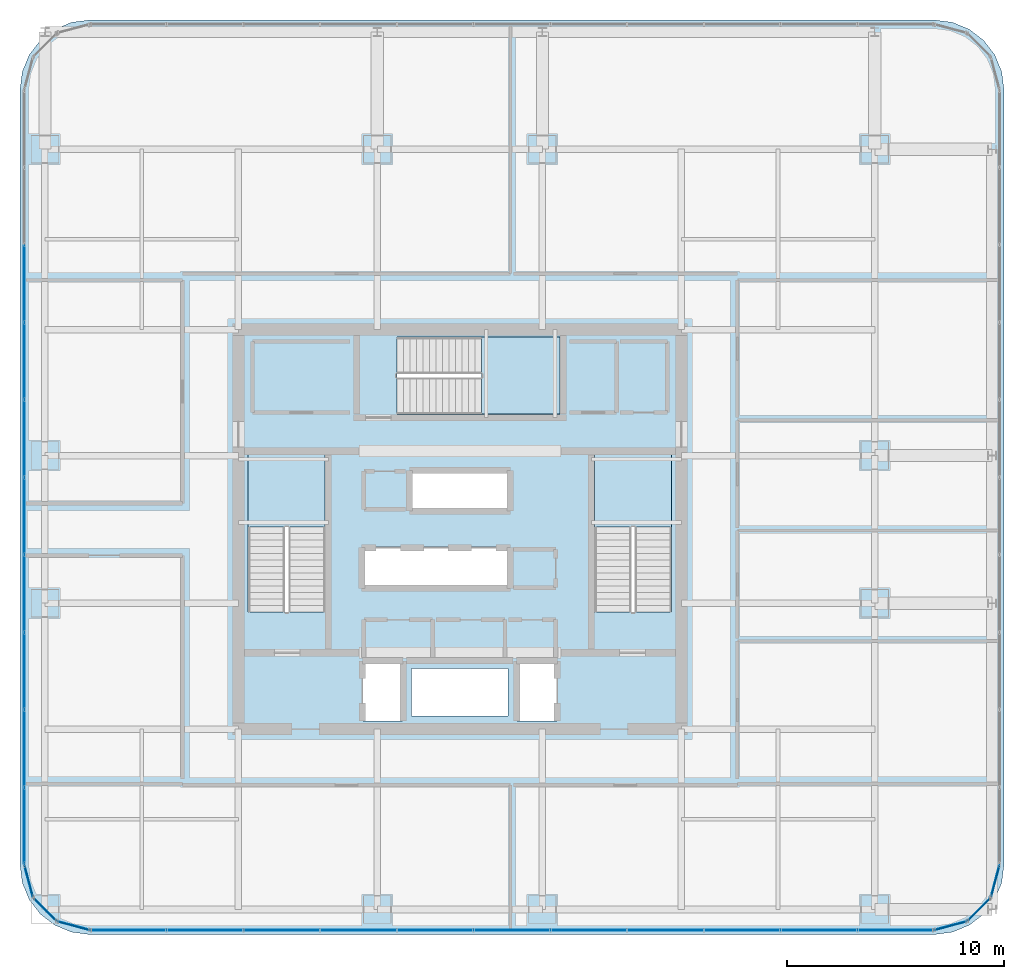
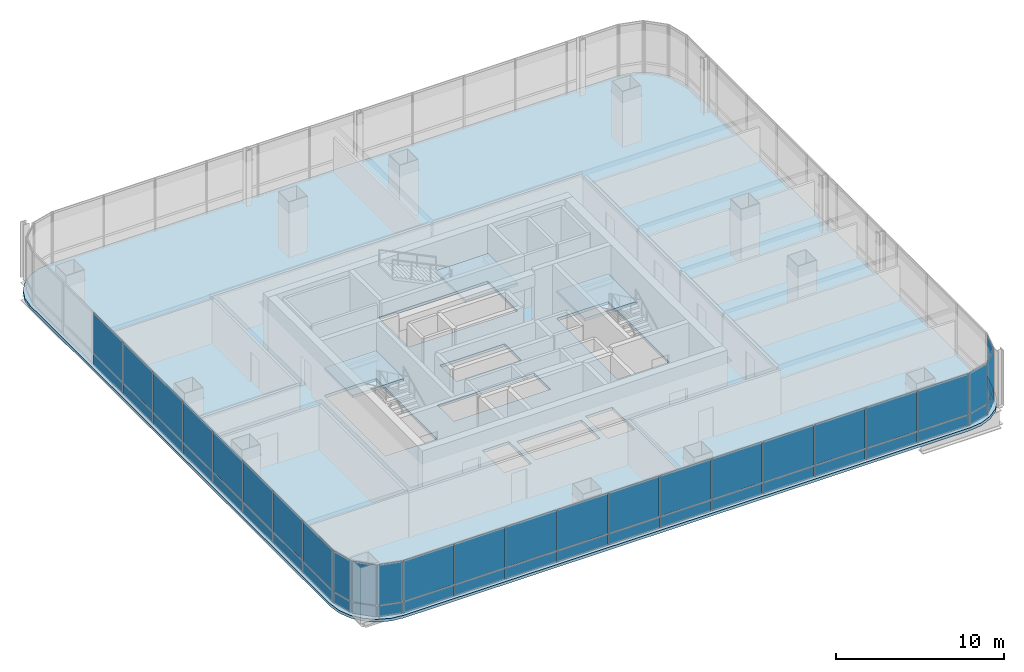
# One storey, part 31 of 39: 50 plates, 4 slabs, 11 elements without a shape of their own.
"""IFC4 building model written with IfcOpenShell, lengths in metres."""

from ifc_helpers import new_model, si_unit, direction, frame, origin, origin_2d, place, context, subcontext, project, spatial, polyline, rectangle, outline, extrude, material, layer, layer_set, type_object, element, aggregate, save


model = new_model("IFC4")

# Units and contexts
model_context = context("Model", 3, precision=1e-05, world=origin(), true_north=direction((0.0, 1.0)))
body_context = subcontext(model_context, "Body", "Model", "MODEL_VIEW")
ifc_project = project(units=[si_unit("LENGTHUNIT", "METRE"), si_unit("AREAUNIT", "SQUARE_METRE"), si_unit("VOLUMEUNIT", "CUBIC_METRE"), si_unit("PLANEANGLEUNIT", "RADIAN"), si_unit("MASSUNIT", "GRAM", prefix="KILO")], contexts=[model_context])

# Site, building, storey
site_placement = place(None, origin())
site = spatial("IfcSite", under=ifc_project, at=site_placement, CompositionType="ELEMENT")
building_placement = place(site_placement, origin())
building = spatial("IfcBuilding", under=site, at=building_placement, Name="Punatoya Terracotta Tower", CompositionType="ELEMENT")
storey_placement = place(building_placement, frame((0.0, 0.0, 275.699951171875)))
storey = spatial("IfcBuildingStorey", under=building, at=storey_placement, Name="L65", CompositionType="ELEMENT", Elevation=275.699951171875)

# Curtain wall, plates
ifc_material_1 = material(Name="Aluminium 6063-T6 + Double Low-E Glass", Category="aluminium")
curtain_wall_type = type_object("IfcCurtainWallType", Name="CW-M3", PredefinedType="NOTDEFINED", material=ifc_material_1)
curtain_wall_1_placement = place(storey_placement, origin())
curtain_wall_1 = element("IfcCurtainWall", 1, at=curtain_wall_1_placement, inside=storey, type_object=curtain_wall_type, Name="L65 Curtain Wall CW-L65-S01-1", PredefinedType="NOTDEFINED")
ifc_material_2 = material(Name="Double Low-E Acoustic Vision Glass", Category="glass")
ifc_layer_1 = layer(ifc_material_2, 0.031982421875)
ifc_layer_set_1 = layer_set([ifc_layer_1], Name="Double Low-E Acoustic Vision Glass")
plate_type_1 = type_object("IfcPlateType", Name="PLT-GLZ-32", PredefinedType="CURTAIN_PANEL", material=ifc_layer_set_1)
plate_1_placement = place(storey_placement, frame((-15.27001953125, -18.449951171875, 0.89013671875), z_axis=(0.0, 0.0, 1.0), x_axis=(1.0, 0.0, 0.0)))
plate_1 = element("IfcPlate", 2, at=plate_1_placement, type_object=plate_type_1, Name="CW-L65-S01-1 Vision Glass Panel 1", PredefinedType="CURTAIN_PANEL", context=body_context, shape_type="SweptSolid", body=[
    extrude(rectangle(XDim=3.448974609375, YDim=0.031982421875, at=origin_2d()), origin(), (0.0, 0.0, 1.0), 2.919921875),
])
plate_2_placement = place(storey_placement, frame((-11.73583984375, -18.449951171875, 0.89013671875), z_axis=(0.0, 0.0, 1.0), x_axis=(1.0, 0.0, 0.0)))
plate_2 = element("IfcPlate", 3, at=plate_2_placement, type_object=plate_type_1, Name="CW-L65-S01-1 Vision Glass Panel 2", PredefinedType="CURTAIN_PANEL", context=body_context, shape_type="SweptSolid", body=[
    extrude(rectangle(XDim=3.448974609375, YDim=0.031982421875, at=origin_2d()), origin(), (0.0, 0.0, 1.0), 2.919921875),
])
plate_3_placement = place(storey_placement, frame((-8.201904296875, -18.449951171875, 0.89013671875), z_axis=(0.0, 0.0, 1.0), x_axis=(1.0, 0.0, 0.0)))
plate_3 = element("IfcPlate", 4, at=plate_3_placement, type_object=plate_type_1, Name="CW-L65-S01-1 Vision Glass Panel 3", PredefinedType="CURTAIN_PANEL", context=body_context, shape_type="SweptSolid", body=[
    extrude(rectangle(XDim=3.448974609375, YDim=0.031982421875, at=origin_2d()), origin(), (0.0, 0.0, 1.0), 2.919921875),
])
plate_4_placement = place(storey_placement, frame((-4.66796875, -18.449951171875, 0.89013671875), z_axis=(0.0, 0.0, 1.0), x_axis=(1.0, 0.0, 0.0)))
plate_4 = element("IfcPlate", 5, at=plate_4_placement, type_object=plate_type_1, Name="CW-L65-S01-1 Vision Glass Panel 4", PredefinedType="CURTAIN_PANEL", context=body_context, shape_type="SweptSolid", body=[
    extrude(rectangle(XDim=3.448974609375, YDim=0.031982421875, at=origin_2d()), origin(), (0.0, 0.0, 1.0), 2.919921875),
])
plate_5_placement = place(storey_placement, frame((-1.134033203125, -18.449951171875, 0.89013671875), z_axis=(0.0, 0.0, 1.0), x_axis=(1.0, 0.0, 0.0)))
plate_5 = element("IfcPlate", 6, at=plate_5_placement, type_object=plate_type_1, Name="CW-L65-S01-1 Vision Glass Panel 5", PredefinedType="CURTAIN_PANEL", context=body_context, shape_type="SweptSolid", body=[
    extrude(rectangle(XDim=3.448974609375, YDim=0.031982421875, at=origin_2d()), origin(), (0.0, 0.0, 1.0), 2.919921875),
])
plate_6_placement = place(storey_placement, frame((2.39990234375, -18.449951171875, 0.89013671875), z_axis=(0.0, 0.0, 1.0), x_axis=(1.0, 0.0, 0.0)))
plate_6 = element("IfcPlate", 7, at=plate_6_placement, type_object=plate_type_1, Name="CW-L65-S01-1 Vision Glass Panel 6", PredefinedType="CURTAIN_PANEL", context=body_context, shape_type="SweptSolid", body=[
    extrude(rectangle(XDim=3.448974609375, YDim=0.031982421875, at=origin_2d()), origin(), (0.0, 0.0, 1.0), 2.919921875),
])
plate_7_placement = place(storey_placement, frame((5.93408203125, -18.449951171875, 0.89013671875), z_axis=(0.0, 0.0, 1.0), x_axis=(1.0, 0.0, 0.0)))
plate_7 = element("IfcPlate", 8, at=plate_7_placement, type_object=plate_type_1, Name="CW-L65-S01-1 Vision Glass Panel 7", PredefinedType="CURTAIN_PANEL", context=body_context, shape_type="SweptSolid", body=[
    extrude(rectangle(XDim=3.448974609375, YDim=0.031982421875, at=origin_2d()), origin(), (0.0, 0.0, 1.0), 2.919921875),
])
plate_8_placement = place(storey_placement, frame((9.468017578125, -18.449951171875, 0.89013671875), z_axis=(0.0, 0.0, 1.0), x_axis=(1.0, 0.0, 0.0)))
plate_8 = element("IfcPlate", 9, at=plate_8_placement, type_object=plate_type_1, Name="CW-L65-S01-1 Vision Glass Panel 8", PredefinedType="CURTAIN_PANEL", context=body_context, shape_type="SweptSolid", body=[
    extrude(rectangle(XDim=3.448974609375, YDim=0.031982421875, at=origin_2d()), origin(), (0.0, 0.0, 1.0), 2.919921875),
])
plate_9_placement = place(storey_placement, frame((13.001953125, -18.449951171875, 0.89013671875), z_axis=(0.0, 0.0, 1.0), x_axis=(1.0, 0.0, 0.0)))
plate_9 = element("IfcPlate", 10, at=plate_9_placement, type_object=plate_type_1, Name="CW-L65-S01-1 Vision Glass Panel 9", PredefinedType="CURTAIN_PANEL", context=body_context, shape_type="SweptSolid", body=[
    extrude(rectangle(XDim=3.448974609375, YDim=0.031982421875, at=origin_2d()), origin(), (0.0, 0.0, 1.0), 2.919921875),
])
plate_10_placement = place(storey_placement, frame((16.535888671875, -18.449951171875, 0.89013671875), z_axis=(0.0, 0.0, 1.0), x_axis=(1.0, 0.0, 0.0)))
plate_10 = element("IfcPlate", 11, at=plate_10_placement, type_object=plate_type_1, Name="CW-L65-S01-1 Vision Glass Panel 10", PredefinedType="CURTAIN_PANEL", context=body_context, shape_type="SweptSolid", body=[
    extrude(rectangle(XDim=3.448974609375, YDim=0.031982421875, at=origin_2d()), origin(), (0.0, 0.0, 1.0), 2.919921875),
])
plate_11_placement = place(storey_placement, frame((20.06982421875, -18.449951171875, 0.89013671875), z_axis=(0.0, 0.0, 1.0), x_axis=(1.0, 0.0, 0.0)))
plate_11 = element("IfcPlate", 12, at=plate_11_placement, type_object=plate_type_1, Name="CW-L65-S01-1 Vision Glass Panel 11", PredefinedType="CURTAIN_PANEL", context=body_context, shape_type="SweptSolid", body=[
    extrude(rectangle(XDim=3.448974609375, YDim=0.031982421875, at=origin_2d()), origin(), (0.0, 0.0, 1.0), 2.919921875),
])

# Curtain wall, plate
curtain_wall_2_placement = place(storey_placement, origin())
curtain_wall_2 = element("IfcCurtainWall", 13, at=curtain_wall_2_placement, inside=storey, type_object=curtain_wall_type, Name="L65 Curtain Wall CW-L65-CRN02", PredefinedType="NOTDEFINED")
plate_12_placement = place(storey_placement, frame((22.593017578125, -18.248291015625, 0.89013671875), z_axis=(0.0, 0.0, 1.0), x_axis=(0.966213877436, 0.257741620719, 0.0)))
plate_12 = element("IfcPlate", 14, at=plate_12_placement, type_object=plate_type_1, Name="CW-L65-CRN02 Vision Glass Panel 1", PredefinedType="CURTAIN_PANEL", context=body_context, shape_type="SweptSolid", body=[
    extrude(rectangle(XDim=1.47998046875, YDim=0.031982421875, at=origin_2d()), origin(), (0.0, 0.0, 1.0), 2.919921875),
])

curtain_wall_3_placement = place(storey_placement, origin())
curtain_wall_3 = element("IfcCurtainWall", 15, at=curtain_wall_3_placement, inside=storey, type_object=curtain_wall_type, Name="L65 Curtain Wall CW-L65-CRN03", PredefinedType="NOTDEFINED")
plate_13_placement = place(storey_placement, frame((23.89794921875, -17.497802734375, 0.89013671875), z_axis=(0.0, 0.0, 1.0), x_axis=(0.707106781187, 0.707106781187, 0.0)))
plate_13 = element("IfcPlate", 16, at=plate_13_placement, type_object=plate_type_1, Name="CW-L65-CRN03 Vision Glass Panel 1", PredefinedType="CURTAIN_PANEL", context=body_context, shape_type="SweptSolid", body=[
    extrude(rectangle(XDim=1.467041015625, YDim=0.031982421875, at=origin_2d()), origin(), (0.0, 0.0, 1.0), 2.919921875),
])

curtain_wall_4_placement = place(storey_placement, origin())
curtain_wall_4 = element("IfcCurtainWall", 17, at=curtain_wall_4_placement, inside=storey, type_object=curtain_wall_type, Name="L65 Curtain Wall CW-L65-CRN04", PredefinedType="NOTDEFINED")
plate_14_placement = place(storey_placement, frame((24.648193359375, -16.193115234375, 0.89013671875), z_axis=(0.0, 0.0, 1.0), x_axis=(0.257741620719, 0.966213877436, 0.0)))
plate_14 = element("IfcPlate", 18, at=plate_14_placement, type_object=plate_type_1, Name="CW-L65-CRN04 Vision Glass Panel 1", PredefinedType="CURTAIN_PANEL", context=body_context, shape_type="SweptSolid", body=[
    extrude(rectangle(XDim=1.47998046875, YDim=0.031982421875, at=origin_2d()), origin(), (0.0, 0.0, 1.0), 2.919921875),
])

# Curtain wall, plates
curtain_wall_5_placement = place(storey_placement, origin())
curtain_wall_5 = element("IfcCurtainWall", 19, at=curtain_wall_5_placement, inside=storey, type_object=curtain_wall_type, Name="L65 Curtain Wall CW-L65-W13-1", PredefinedType="NOTDEFINED")
plate_15_placement = place(storey_placement, frame((-20.050048828125, 11.318359375, 0.89013671875), z_axis=(0.0, 0.0, 1.0), x_axis=(0.0, -1.0, 0.0)))
plate_15 = element("IfcPlate", 20, at=plate_15_placement, type_object=plate_type_1, Name="CW-L65-W13-1 Vision Glass Panel 3", PredefinedType="CURTAIN_PANEL", context=body_context, shape_type="SweptSolid", body=[
    extrude(rectangle(XDim=3.482421875, YDim=0.031982421875, at=origin_2d()), origin(), (0.0, 0.0, 1.0), 2.919921875),
])
plate_16_placement = place(storey_placement, frame((-20.050048828125, 7.751220703125, 0.89013671875), z_axis=(0.0, 0.0, 1.0), x_axis=(0.0, -1.0, 0.0)))
plate_16 = element("IfcPlate", 21, at=plate_16_placement, type_object=plate_type_1, Name="CW-L65-W13-1 Vision Glass Panel 4", PredefinedType="CURTAIN_PANEL", context=body_context, shape_type="SweptSolid", body=[
    extrude(rectangle(XDim=3.482421875, YDim=0.031982421875, at=origin_2d()), origin(), (0.0, 0.0, 1.0), 2.919921875),
])
plate_17_placement = place(storey_placement, frame((-20.050048828125, 4.18359375, 0.89013671875), z_axis=(0.0, 0.0, 1.0), x_axis=(0.0, -1.0, 0.0)))
plate_17 = element("IfcPlate", 22, at=plate_17_placement, type_object=plate_type_1, Name="CW-L65-W13-1 Vision Glass Panel 5", PredefinedType="CURTAIN_PANEL", context=body_context, shape_type="SweptSolid", body=[
    extrude(rectangle(XDim=3.482421875, YDim=0.031982421875, at=origin_2d()), origin(), (0.0, 0.0, 1.0), 2.919921875),
])
plate_18_placement = place(storey_placement, frame((-20.050048828125, 0.6162109375, 0.89013671875), z_axis=(0.0, 0.0, 1.0), x_axis=(0.0, -1.0, 0.0)))
plate_18 = element("IfcPlate", 23, at=plate_18_placement, type_object=plate_type_1, Name="CW-L65-W13-1 Vision Glass Panel 6", PredefinedType="CURTAIN_PANEL", context=body_context, shape_type="SweptSolid", body=[
    extrude(rectangle(XDim=3.482421875, YDim=0.031982421875, at=origin_2d()), origin(), (0.0, 0.0, 1.0), 2.919921875),
])
plate_19_placement = place(storey_placement, frame((-20.050048828125, -2.951171875, 0.89013671875), z_axis=(0.0, 0.0, 1.0), x_axis=(0.0, -1.0, 0.0)))
plate_19 = element("IfcPlate", 24, at=plate_19_placement, type_object=plate_type_1, Name="CW-L65-W13-1 Vision Glass Panel 7", PredefinedType="CURTAIN_PANEL", context=body_context, shape_type="SweptSolid", body=[
    extrude(rectangle(XDim=3.482421875, YDim=0.031982421875, at=origin_2d()), origin(), (0.0, 0.0, 1.0), 2.919921875),
])
plate_20_placement = place(storey_placement, frame((-20.050048828125, -6.518310546875, 0.89013671875), z_axis=(0.0, 0.0, 1.0), x_axis=(0.0, -1.0, 0.0)))
plate_20 = element("IfcPlate", 25, at=plate_20_placement, type_object=plate_type_1, Name="CW-L65-W13-1 Vision Glass Panel 8", PredefinedType="CURTAIN_PANEL", context=body_context, shape_type="SweptSolid", body=[
    extrude(rectangle(XDim=3.482421875, YDim=0.031982421875, at=origin_2d()), origin(), (0.0, 0.0, 1.0), 2.919921875),
])
plate_21_placement = place(storey_placement, frame((-20.050048828125, -10.085693359375, 0.89013671875), z_axis=(0.0, 0.0, 1.0), x_axis=(0.0, -1.0, 0.0)))
plate_21 = element("IfcPlate", 26, at=plate_21_placement, type_object=plate_type_1, Name="CW-L65-W13-1 Vision Glass Panel 9", PredefinedType="CURTAIN_PANEL", context=body_context, shape_type="SweptSolid", body=[
    extrude(rectangle(XDim=3.482421875, YDim=0.031982421875, at=origin_2d()), origin(), (0.0, 0.0, 1.0), 2.919921875),
])
plate_22_placement = place(storey_placement, frame((-20.050048828125, -13.6533203125, 0.89013671875), z_axis=(0.0, 0.0, 1.0), x_axis=(0.0, -1.0, 0.0)))
plate_22 = element("IfcPlate", 27, at=plate_22_placement, type_object=plate_type_1, Name="CW-L65-W13-1 Vision Glass Panel 10", PredefinedType="CURTAIN_PANEL", context=body_context, shape_type="SweptSolid", body=[
    extrude(rectangle(XDim=3.482421875, YDim=0.031982421875, at=origin_2d()), origin(), (0.0, 0.0, 1.0), 2.919921875),
])

# Curtain wall, plate
curtain_wall_6_placement = place(storey_placement, origin())
curtain_wall_6 = element("IfcCurtainWall", 28, at=curtain_wall_6_placement, inside=storey, type_object=curtain_wall_type, Name="L65 Curtain Wall CW-L65-CRN14", PredefinedType="NOTDEFINED")
plate_23_placement = place(storey_placement, frame((-19.848388671875, -16.193115234375, 0.89013671875), z_axis=(0.0, 0.0, 1.0), x_axis=(0.257741620719, -0.966213877436, 0.0)))
plate_23 = element("IfcPlate", 29, at=plate_23_placement, type_object=plate_type_1, Name="CW-L65-CRN14 Vision Glass Panel 1", PredefinedType="CURTAIN_PANEL", context=body_context, shape_type="SweptSolid", body=[
    extrude(rectangle(XDim=1.47998046875, YDim=0.031982421875, at=origin_2d()), origin(), (0.0, 0.0, 1.0), 2.919921875),
])

curtain_wall_7_placement = place(storey_placement, origin())
curtain_wall_7 = element("IfcCurtainWall", 30, at=curtain_wall_7_placement, inside=storey, type_object=curtain_wall_type, Name="L65 Curtain Wall CW-L65-CRN15", PredefinedType="NOTDEFINED")
plate_24_placement = place(storey_placement, frame((-19.097900390625, -17.497802734375, 0.89013671875), z_axis=(0.0, 0.0, 1.0), x_axis=(0.707106781187, -0.707106781187, 0.0)))
plate_24 = element("IfcPlate", 31, at=plate_24_placement, type_object=plate_type_1, Name="CW-L65-CRN15 Vision Glass Panel 1", PredefinedType="CURTAIN_PANEL", context=body_context, shape_type="SweptSolid", body=[
    extrude(rectangle(XDim=1.467041015625, YDim=0.031982421875, at=origin_2d()), origin(), (0.0, 0.0, 1.0), 2.919921875),
])

curtain_wall_8_placement = place(storey_placement, origin())
curtain_wall_8 = element("IfcCurtainWall", 32, at=curtain_wall_8_placement, inside=storey, type_object=curtain_wall_type, Name="L65 Curtain Wall CW-L65-CRN16", PredefinedType="NOTDEFINED")
plate_25_placement = place(storey_placement, frame((-17.79296875, -18.248291015625, 0.89013671875), z_axis=(0.0, 0.0, 1.0), x_axis=(0.966213877436, -0.257741620719, 0.0)))
plate_25 = element("IfcPlate", 33, at=plate_25_placement, type_object=plate_type_1, Name="CW-L65-CRN16 Vision Glass Panel 1", PredefinedType="CURTAIN_PANEL", context=body_context, shape_type="SweptSolid", body=[
    extrude(rectangle(XDim=1.47998046875, YDim=0.031982421875, at=origin_2d()), origin(), (0.0, 0.0, 1.0), 2.919921875),
])

# Plate
ifc_material_3 = material(Name="Insulated Terracotta-Backed Spandrel Panel", Category="masonry")
ifc_layer_2 = layer(ifc_material_3, 0.044921875)
ifc_layer_set_2 = layer_set([ifc_layer_2], Name="Insulated Terracotta-Backed Spandrel Panel")
plate_type_2 = type_object("IfcPlateType", Name="PLT-SPN-45", PredefinedType="CURTAIN_PANEL", material=ifc_layer_set_2)
plate_26_placement = place(storey_placement, frame((-15.27001953125, -18.449951171875, 0.0400390625), z_axis=(0.0, 0.0, 1.0), x_axis=(1.0, 0.0, 0.0)))
plate_26 = element("IfcPlate", 34, at=plate_26_placement, type_object=plate_type_2, Name="CW-L65-S01-1 Terracotta Spandrel Panel 1", PredefinedType="CURTAIN_PANEL", context=body_context, shape_type="SweptSolid", body=[
    extrude(rectangle(XDim=3.448974609375, YDim=0.044921875, at=origin_2d()), origin(), (0.0, 0.0, 1.0), 0.77490234375),
])

plate_27_placement = place(storey_placement, frame((-11.73583984375, -18.449951171875, 0.0400390625), z_axis=(0.0, 0.0, 1.0), x_axis=(1.0, 0.0, 0.0)))
plate_27 = element("IfcPlate", 35, at=plate_27_placement, type_object=plate_type_2, Name="CW-L65-S01-1 Terracotta Spandrel Panel 2", PredefinedType="CURTAIN_PANEL", context=body_context, shape_type="SweptSolid", body=[
    extrude(rectangle(XDim=3.448974609375, YDim=0.044921875, at=origin_2d()), origin(), (0.0, 0.0, 1.0), 0.77490234375),
])

plate_28_placement = place(storey_placement, frame((-8.201904296875, -18.449951171875, 0.0400390625), z_axis=(0.0, 0.0, 1.0), x_axis=(1.0, 0.0, 0.0)))
plate_28 = element("IfcPlate", 36, at=plate_28_placement, type_object=plate_type_2, Name="CW-L65-S01-1 Terracotta Spandrel Panel 3", PredefinedType="CURTAIN_PANEL", context=body_context, shape_type="SweptSolid", body=[
    extrude(rectangle(XDim=3.448974609375, YDim=0.044921875, at=origin_2d()), origin(), (0.0, 0.0, 1.0), 0.77490234375),
])

plate_29_placement = place(storey_placement, frame((-4.66796875, -18.449951171875, 0.0400390625), z_axis=(0.0, 0.0, 1.0), x_axis=(1.0, 0.0, 0.0)))
plate_29 = element("IfcPlate", 37, at=plate_29_placement, type_object=plate_type_2, Name="CW-L65-S01-1 Terracotta Spandrel Panel 4", PredefinedType="CURTAIN_PANEL", context=body_context, shape_type="SweptSolid", body=[
    extrude(rectangle(XDim=3.448974609375, YDim=0.044921875, at=origin_2d()), origin(), (0.0, 0.0, 1.0), 0.77490234375),
])

plate_30_placement = place(storey_placement, frame((-1.134033203125, -18.449951171875, 0.0400390625), z_axis=(0.0, 0.0, 1.0), x_axis=(1.0, 0.0, 0.0)))
plate_30 = element("IfcPlate", 38, at=plate_30_placement, type_object=plate_type_2, Name="CW-L65-S01-1 Terracotta Spandrel Panel 5", PredefinedType="CURTAIN_PANEL", context=body_context, shape_type="SweptSolid", body=[
    extrude(rectangle(XDim=3.448974609375, YDim=0.044921875, at=origin_2d()), origin(), (0.0, 0.0, 1.0), 0.77490234375),
])

plate_31_placement = place(storey_placement, frame((2.39990234375, -18.449951171875, 0.0400390625), z_axis=(0.0, 0.0, 1.0), x_axis=(1.0, 0.0, 0.0)))
plate_31 = element("IfcPlate", 39, at=plate_31_placement, type_object=plate_type_2, Name="CW-L65-S01-1 Terracotta Spandrel Panel 6", PredefinedType="CURTAIN_PANEL", context=body_context, shape_type="SweptSolid", body=[
    extrude(rectangle(XDim=3.448974609375, YDim=0.044921875, at=origin_2d()), origin(), (0.0, 0.0, 1.0), 0.77490234375),
])

plate_32_placement = place(storey_placement, frame((5.93408203125, -18.449951171875, 0.0400390625), z_axis=(0.0, 0.0, 1.0), x_axis=(1.0, 0.0, 0.0)))
plate_32 = element("IfcPlate", 40, at=plate_32_placement, type_object=plate_type_2, Name="CW-L65-S01-1 Terracotta Spandrel Panel 7", PredefinedType="CURTAIN_PANEL", context=body_context, shape_type="SweptSolid", body=[
    extrude(rectangle(XDim=3.448974609375, YDim=0.044921875, at=origin_2d()), origin(), (0.0, 0.0, 1.0), 0.77490234375),
])

plate_33_placement = place(storey_placement, frame((9.468017578125, -18.449951171875, 0.0400390625), z_axis=(0.0, 0.0, 1.0), x_axis=(1.0, 0.0, 0.0)))
plate_33 = element("IfcPlate", 41, at=plate_33_placement, type_object=plate_type_2, Name="CW-L65-S01-1 Terracotta Spandrel Panel 8", PredefinedType="CURTAIN_PANEL", context=body_context, shape_type="SweptSolid", body=[
    extrude(rectangle(XDim=3.448974609375, YDim=0.044921875, at=origin_2d()), origin(), (0.0, 0.0, 1.0), 0.77490234375),
])

plate_34_placement = place(storey_placement, frame((13.001953125, -18.449951171875, 0.0400390625), z_axis=(0.0, 0.0, 1.0), x_axis=(1.0, 0.0, 0.0)))
plate_34 = element("IfcPlate", 42, at=plate_34_placement, type_object=plate_type_2, Name="CW-L65-S01-1 Terracotta Spandrel Panel 9", PredefinedType="CURTAIN_PANEL", context=body_context, shape_type="SweptSolid", body=[
    extrude(rectangle(XDim=3.448974609375, YDim=0.044921875, at=origin_2d()), origin(), (0.0, 0.0, 1.0), 0.77490234375),
])

plate_35_placement = place(storey_placement, frame((16.535888671875, -18.449951171875, 0.0400390625), z_axis=(0.0, 0.0, 1.0), x_axis=(1.0, 0.0, 0.0)))
plate_35 = element("IfcPlate", 43, at=plate_35_placement, type_object=plate_type_2, Name="CW-L65-S01-1 Terracotta Spandrel Panel 10", PredefinedType="CURTAIN_PANEL", context=body_context, shape_type="SweptSolid", body=[
    extrude(rectangle(XDim=3.448974609375, YDim=0.044921875, at=origin_2d()), origin(), (0.0, 0.0, 1.0), 0.77490234375),
])

plate_36_placement = place(storey_placement, frame((20.06982421875, -18.449951171875, 0.0400390625), z_axis=(0.0, 0.0, 1.0), x_axis=(1.0, 0.0, 0.0)))
plate_36 = element("IfcPlate", 44, at=plate_36_placement, type_object=plate_type_2, Name="CW-L65-S01-1 Terracotta Spandrel Panel 11", PredefinedType="CURTAIN_PANEL", context=body_context, shape_type="SweptSolid", body=[
    extrude(rectangle(XDim=3.448974609375, YDim=0.044921875, at=origin_2d()), origin(), (0.0, 0.0, 1.0), 0.77490234375),
])

aggregate(curtain_wall_1, [plate_26, plate_1, plate_27, plate_2, plate_28, plate_3, plate_29, plate_4, plate_30, plate_5, plate_31, plate_6, plate_32, plate_7, plate_33, plate_8, plate_34, plate_9, plate_35, plate_10, plate_36, plate_11])

plate_37_placement = place(storey_placement, frame((22.593017578125, -18.248291015625, 0.0400390625), z_axis=(0.0, 0.0, 1.0), x_axis=(0.966213877436, 0.257741620719, 0.0)))
plate_37 = element("IfcPlate", 45, at=plate_37_placement, type_object=plate_type_2, Name="CW-L65-CRN02 Terracotta Spandrel Panel 1", PredefinedType="CURTAIN_PANEL", context=body_context, shape_type="SweptSolid", body=[
    extrude(rectangle(XDim=1.47998046875, YDim=0.044921875, at=origin_2d()), origin(), (0.0, 0.0, 1.0), 0.77490234375),
])

aggregate(curtain_wall_2, [plate_37, plate_12])

plate_38_placement = place(storey_placement, frame((23.89794921875, -17.497802734375, 0.0400390625), z_axis=(0.0, 0.0, 1.0), x_axis=(0.707106781187, 0.707106781187, 0.0)))
plate_38 = element("IfcPlate", 46, at=plate_38_placement, type_object=plate_type_2, Name="CW-L65-CRN03 Terracotta Spandrel Panel 1", PredefinedType="CURTAIN_PANEL", context=body_context, shape_type="SweptSolid", body=[
    extrude(rectangle(XDim=1.467041015625, YDim=0.044921875, at=origin_2d()), origin(), (0.0, 0.0, 1.0), 0.77490234375),
])

aggregate(curtain_wall_3, [plate_38, plate_13])

plate_39_placement = place(storey_placement, frame((24.648193359375, -16.193115234375, 0.0400390625), z_axis=(0.0, 0.0, 1.0), x_axis=(0.257741620719, 0.966213877436, 0.0)))
plate_39 = element("IfcPlate", 47, at=plate_39_placement, type_object=plate_type_2, Name="CW-L65-CRN04 Terracotta Spandrel Panel 1", PredefinedType="CURTAIN_PANEL", context=body_context, shape_type="SweptSolid", body=[
    extrude(rectangle(XDim=1.47998046875, YDim=0.044921875, at=origin_2d()), origin(), (0.0, 0.0, 1.0), 0.77490234375),
])

aggregate(curtain_wall_4, [plate_39, plate_14])

plate_40_placement = place(storey_placement, frame((-20.050048828125, 11.318359375, 0.0400390625), z_axis=(0.0, 0.0, 1.0), x_axis=(0.0, -1.0, 0.0)))
plate_40 = element("IfcPlate", 48, at=plate_40_placement, type_object=plate_type_2, Name="CW-L65-W13-1 Terracotta Spandrel Panel 3", PredefinedType="CURTAIN_PANEL", context=body_context, shape_type="SweptSolid", body=[
    extrude(rectangle(XDim=3.482421875, YDim=0.044921875, at=origin_2d()), origin(), (0.0, 0.0, 1.0), 0.77490234375),
])

plate_41_placement = place(storey_placement, frame((-20.050048828125, 7.751220703125, 0.0400390625), z_axis=(0.0, 0.0, 1.0), x_axis=(0.0, -1.0, 0.0)))
plate_41 = element("IfcPlate", 49, at=plate_41_placement, type_object=plate_type_2, Name="CW-L65-W13-1 Terracotta Spandrel Panel 4", PredefinedType="CURTAIN_PANEL", context=body_context, shape_type="SweptSolid", body=[
    extrude(rectangle(XDim=3.482421875, YDim=0.044921875, at=origin_2d()), origin(), (0.0, 0.0, 1.0), 0.77490234375),
])

plate_42_placement = place(storey_placement, frame((-20.050048828125, 4.18359375, 0.0400390625), z_axis=(0.0, 0.0, 1.0), x_axis=(0.0, -1.0, 0.0)))
plate_42 = element("IfcPlate", 50, at=plate_42_placement, type_object=plate_type_2, Name="CW-L65-W13-1 Terracotta Spandrel Panel 5", PredefinedType="CURTAIN_PANEL", context=body_context, shape_type="SweptSolid", body=[
    extrude(rectangle(XDim=3.482421875, YDim=0.044921875, at=origin_2d()), origin(), (0.0, 0.0, 1.0), 0.77490234375),
])

plate_43_placement = place(storey_placement, frame((-20.050048828125, 0.6162109375, 0.0400390625), z_axis=(0.0, 0.0, 1.0), x_axis=(0.0, -1.0, 0.0)))
plate_43 = element("IfcPlate", 51, at=plate_43_placement, type_object=plate_type_2, Name="CW-L65-W13-1 Terracotta Spandrel Panel 6", PredefinedType="CURTAIN_PANEL", context=body_context, shape_type="SweptSolid", body=[
    extrude(rectangle(XDim=3.482421875, YDim=0.044921875, at=origin_2d()), origin(), (0.0, 0.0, 1.0), 0.77490234375),
])

plate_44_placement = place(storey_placement, frame((-20.050048828125, -2.951171875, 0.0400390625), z_axis=(0.0, 0.0, 1.0), x_axis=(0.0, -1.0, 0.0)))
plate_44 = element("IfcPlate", 52, at=plate_44_placement, type_object=plate_type_2, Name="CW-L65-W13-1 Terracotta Spandrel Panel 7", PredefinedType="CURTAIN_PANEL", context=body_context, shape_type="SweptSolid", body=[
    extrude(rectangle(XDim=3.482421875, YDim=0.044921875, at=origin_2d()), origin(), (0.0, 0.0, 1.0), 0.77490234375),
])

plate_45_placement = place(storey_placement, frame((-20.050048828125, -6.518310546875, 0.0400390625), z_axis=(0.0, 0.0, 1.0), x_axis=(0.0, -1.0, 0.0)))
plate_45 = element("IfcPlate", 53, at=plate_45_placement, type_object=plate_type_2, Name="CW-L65-W13-1 Terracotta Spandrel Panel 8", PredefinedType="CURTAIN_PANEL", context=body_context, shape_type="SweptSolid", body=[
    extrude(rectangle(XDim=3.482421875, YDim=0.044921875, at=origin_2d()), origin(), (0.0, 0.0, 1.0), 0.77490234375),
])

plate_46_placement = place(storey_placement, frame((-20.050048828125, -10.085693359375, 0.0400390625), z_axis=(0.0, 0.0, 1.0), x_axis=(0.0, -1.0, 0.0)))
plate_46 = element("IfcPlate", 54, at=plate_46_placement, type_object=plate_type_2, Name="CW-L65-W13-1 Terracotta Spandrel Panel 9", PredefinedType="CURTAIN_PANEL", context=body_context, shape_type="SweptSolid", body=[
    extrude(rectangle(XDim=3.482421875, YDim=0.044921875, at=origin_2d()), origin(), (0.0, 0.0, 1.0), 0.77490234375),
])

plate_47_placement = place(storey_placement, frame((-20.050048828125, -13.6533203125, 0.0400390625), z_axis=(0.0, 0.0, 1.0), x_axis=(0.0, -1.0, 0.0)))
plate_47 = element("IfcPlate", 55, at=plate_47_placement, type_object=plate_type_2, Name="CW-L65-W13-1 Terracotta Spandrel Panel 10", PredefinedType="CURTAIN_PANEL", context=body_context, shape_type="SweptSolid", body=[
    extrude(rectangle(XDim=3.482421875, YDim=0.044921875, at=origin_2d()), origin(), (0.0, 0.0, 1.0), 0.77490234375),
])

aggregate(curtain_wall_5, [plate_40, plate_15, plate_41, plate_16, plate_42, plate_17, plate_43, plate_18, plate_44, plate_19, plate_45, plate_20, plate_46, plate_21, plate_47, plate_22])

plate_48_placement = place(storey_placement, frame((-19.848388671875, -16.193115234375, 0.0400390625), z_axis=(0.0, 0.0, 1.0), x_axis=(0.257741620719, -0.966213877436, 0.0)))
plate_48 = element("IfcPlate", 56, at=plate_48_placement, type_object=plate_type_2, Name="CW-L65-CRN14 Terracotta Spandrel Panel 1", PredefinedType="CURTAIN_PANEL", context=body_context, shape_type="SweptSolid", body=[
    extrude(rectangle(XDim=1.47998046875, YDim=0.044921875, at=origin_2d()), origin(), (0.0, 0.0, 1.0), 0.77490234375),
])

aggregate(curtain_wall_6, [plate_48, plate_23])

plate_49_placement = place(storey_placement, frame((-19.097900390625, -17.497802734375, 0.0400390625), z_axis=(0.0, 0.0, 1.0), x_axis=(0.707106781187, -0.707106781187, 0.0)))
plate_49 = element("IfcPlate", 57, at=plate_49_placement, type_object=plate_type_2, Name="CW-L65-CRN15 Terracotta Spandrel Panel 1", PredefinedType="CURTAIN_PANEL", context=body_context, shape_type="SweptSolid", body=[
    extrude(rectangle(XDim=1.467041015625, YDim=0.044921875, at=origin_2d()), origin(), (0.0, 0.0, 1.0), 0.77490234375),
])

aggregate(curtain_wall_7, [plate_49, plate_24])

plate_50_placement = place(storey_placement, frame((-17.79296875, -18.248291015625, 0.0400390625), z_axis=(0.0, 0.0, 1.0), x_axis=(0.966213877436, -0.257741620719, 0.0)))
plate_50 = element("IfcPlate", 58, at=plate_50_placement, type_object=plate_type_2, Name="CW-L65-CRN16 Terracotta Spandrel Panel 1", PredefinedType="CURTAIN_PANEL", context=body_context, shape_type="SweptSolid", body=[
    extrude(rectangle(XDim=1.47998046875, YDim=0.044921875, at=origin_2d()), origin(), (0.0, 0.0, 1.0), 0.77490234375),
])

aggregate(curtain_wall_8, [plate_50, plate_25])

# Stair, slab
ifc_material_4 = material(Name="Concrete C40/50", Category="concrete")
stair_type_1 = type_object("IfcStairType", Name="STR-TER-1450", PredefinedType="HALF_TURN_STAIR", material=ifc_material_4)
stair_1_placement = place(storey_placement, origin())
stair_1 = element("IfcStair", 59, at=stair_1_placement, inside=storey, type_object=stair_type_1, Name="L65 Protected Core Exit Stair ST-3", PredefinedType="HALF_TURN_STAIR")
ifc_layer_3 = layer(ifc_material_4, 0.1650390625)
ifc_layer_set_3 = layer_set([ifc_layer_3], Name="Concrete C40/50")
slab_type_1 = type_object("IfcSlabType", Name="SLB-LND-165", PredefinedType="LANDING", material=ifc_layer_set_3)
slab_1_placement = place(storey_placement, frame((0.0, 0.0, 1.824951171875)))
slab_1 = element("IfcSlab", 60, at=slab_1_placement, type_object=slab_type_1, Name="ST-3 landing 1", PredefinedType="LANDING", context=body_context, shape_type="SweptSolid", body=[
    extrude(outline(polyline([(1.0, 5.300048828125), (4.60009765625, 5.300048828125), (4.60009765625, 8.85009765625), (1.0, 8.85009765625), (1.0, 5.300048828125)])), origin(), (0.0, 0.0, 1.0), 0.2001953125),
])
aggregate(stair_1, [slab_1])

stair_type_2 = type_object("IfcStairType", Name="STR-CORE-1550", PredefinedType="HALF_TURN_STAIR", material=ifc_material_4)
stair_2_placement = place(storey_placement, origin())
stair_2 = element("IfcStair", 61, at=stair_2_placement, inside=storey, type_object=stair_type_2, Name="L65 Protected Core Exit Stair ST-1", PredefinedType="HALF_TURN_STAIR")
ifc_layer_4 = layer(ifc_material_4, 0.179931640625)
ifc_layer_set_4 = layer_set([ifc_layer_4], Name="Concrete C40/50")
slab_type_2 = type_object("IfcSlabType", Name="SLB-LND-180", PredefinedType="LANDING", material=ifc_layer_set_4)
slab_2_placement = place(storey_placement, frame((0.0, 0.0, 1.824951171875)))
slab_2 = element("IfcSlab", 62, at=slab_2_placement, type_object=slab_type_2, Name="ST-1 landing 1", PredefinedType="LANDING", context=body_context, shape_type="SweptSolid", body=[
    extrude(outline(polyline([(-6.199951171875, 0.10009765625), (-6.199951171875, 3.449951171875), (-9.75, 3.449951171875), (-9.75, 0.10009765625), (-6.199951171875, 0.10009765625)])), origin(), (0.0, 0.0, 1.0), 0.2001953125),
])
aggregate(stair_2, [slab_2])

stair_type_3 = type_object("IfcStairType", Name="STR-LOB-1650", PredefinedType="HALF_TURN_STAIR", material=ifc_material_4)
stair_3_placement = place(storey_placement, origin())
stair_3 = element("IfcStair", 63, at=stair_3_placement, inside=storey, type_object=stair_type_3, Name="L65 Protected Core Exit Stair ST-2", PredefinedType="HALF_TURN_STAIR")
slab_3_placement = place(storey_placement, frame((0.0, 0.0, 1.824951171875)))
slab_3 = element("IfcSlab", 64, at=slab_3_placement, type_object=slab_type_2, Name="ST-2 landing 1", PredefinedType="LANDING", context=body_context, shape_type="SweptSolid", body=[
    extrude(outline(polyline([(9.75, 0.10009765625), (9.75, 3.449951171875), (6.199951171875, 3.449951171875), (6.199951171875, 0.10009765625), (9.75, 0.10009765625)])), origin(), (0.0, 0.0, 1.0), 0.2001953125),
])
aggregate(stair_3, [slab_3])

# Slab
ifc_layer_5 = layer(ifc_material_4, 0.199951171875)
ifc_layer_set_5 = layer_set([ifc_layer_5], Name="Concrete C40/50")
slab_type_3 = type_object("IfcSlabType", Name="SLB-OFF-200", PredefinedType="FLOOR", material=ifc_layer_set_5)
slab_4_placement = place(storey_placement, frame((0.0, 0.0, -0.199951171875)))
element("IfcSlab", 65, at=slab_4_placement, inside=storey, type_object=slab_type_3, Name="L65 Structural Floor Slab", PredefinedType="FLOOR", context=body_context, shape_type="SweptSolid", body=[
    extrude(outline(polyline([(-17.050048828125, -18.64990234375), (-17.878173828125, -18.541015625), (-18.64990234375, -18.22119140625), (-19.312744140625, -17.712646484375), (-19.8212890625, -17.050048828125), (-20.14111328125, -16.2783203125), (-20.25, -15.449951171875), (-20.25, 20.25), (-20.14111328125, 21.078125), (-19.8212890625, 21.85009765625), (-19.312744140625, 22.5126953125), (-18.64990234375, 23.021240234375), (-17.878173828125, 23.341064453125), (-17.050048828125, 23.449951171875), (21.85009765625, 23.449951171875), (22.67822265625, 23.341064453125), (23.449951171875, 23.021240234375), (24.11279296875, 22.5126953125), (24.621337890625, 21.85009765625), (24.94091796875, 21.078125), (25.050048828125, 20.25), (25.050048828125, -15.449951171875), (24.94091796875, -16.2783203125), (24.621337890625, -17.050048828125), (24.11279296875, -17.712646484375), (23.449951171875, -18.22119140625), (22.67822265625, -18.541015625), (21.85009765625, -18.64990234375), (-17.050048828125, -18.64990234375)]), holes=[polyline([(-2.6298828125, -6.179931640625), (-4.469970703125, -6.179931640625), (-4.469970703125, -8.820068359375), (-2.6298828125, -8.820068359375), (-2.6298828125, -6.179931640625)]), polyline([(0.02001953125, -8.594970703125), (2.219970703125, -8.594970703125), (2.219970703125, -6.405029296875), (0.02001953125, -6.405029296875), (-0.02001953125, -6.405029296875), (-2.219970703125, -6.405029296875), (-2.219970703125, -8.594970703125), (-0.02001953125, -8.594970703125), (0.02001953125, -8.594970703125)]), polyline([(-2.219970703125, -2.719970703125), (-2.179931640625, -2.719970703125), (-0.02001953125, -2.719970703125), (0.02001953125, -2.719970703125), (2.219970703125, -2.719970703125), (2.219970703125, -0.780029296875), (0.02001953125, -0.780029296875), (-0.02001953125, -0.780029296875), (-2.179931640625, -0.780029296875), (-2.219970703125, -0.780029296875), (-4.419921875, -0.780029296875), (-4.419921875, -2.719970703125), (-2.219970703125, -2.719970703125)]), polyline([(-6.199951171875, 3.449951171875), (-9.75, 3.449951171875), (-9.75, -3.79931640625), (-6.199951171875, -3.79931640625), (-6.199951171875, 3.449951171875)]), polyline([(0.02001953125, 0.780029296875), (2.219970703125, 0.780029296875), (2.219970703125, 2.719970703125), (0.02001953125, 2.719970703125), (-0.02001953125, 2.719970703125), (-2.219970703125, 2.719970703125), (-2.219970703125, 0.780029296875), (-0.02001953125, 0.780029296875), (0.02001953125, 0.780029296875)]), polyline([(4.469970703125, -8.820068359375), (4.469970703125, -6.179931640625), (2.6298828125, -6.179931640625), (2.6298828125, -8.820068359375), (4.469970703125, -8.820068359375)]), polyline([(6.199951171875, 3.449951171875), (6.199951171875, -3.79931640625), (9.75, -3.79931640625), (9.75, 3.449951171875), (6.199951171875, 3.449951171875)]), polyline([(4.60009765625, 5.300048828125), (4.60009765625, 8.85009765625), (-2.899169921875, 8.85009765625), (-2.899169921875, 5.300048828125), (4.60009765625, 5.300048828125)])]), origin(), (0.0, 0.0, 1.0), 0.199951171875),
])

save(model, "model.ifc")
